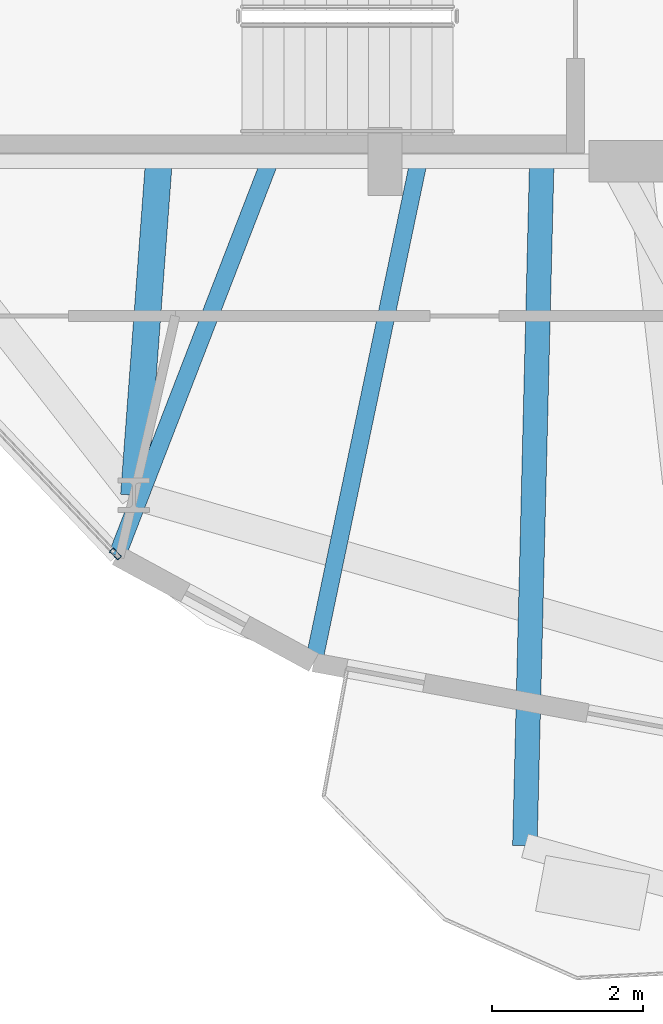
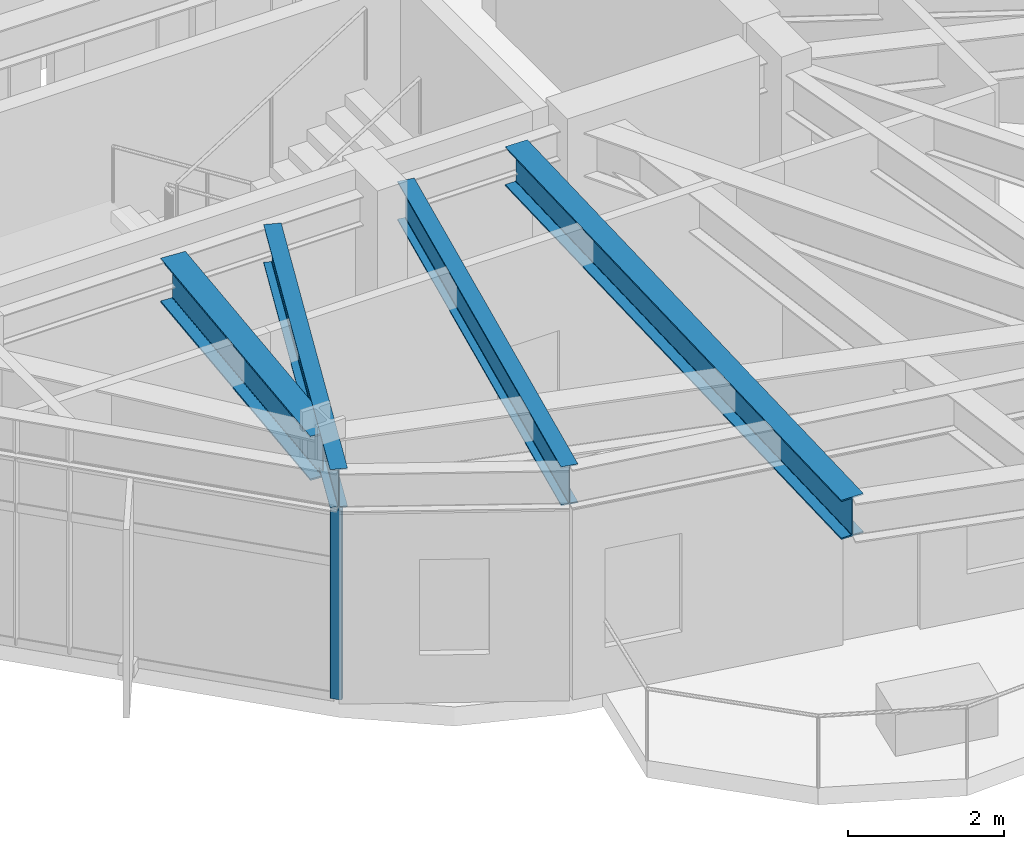
# One storey, part 2 of 25: 4 beams, 1 member, 1 element without a shape of its own.
"""IFC4 building model written with IfcOpenShell, lengths in metres."""

import ifcopenshell
import ifcopenshell.guid

model = None  # the IFC model being written
_history = None  # IfcOwnerHistory: only IFC2X3 demands one
_inside = {}  # id of a spatial element -> (the spatial element, [elements in it])
_under = {}  # id of a project, library or spatial element -> (it, [spatial elements below it])
_declared = {}  # id of a project -> (the project, [libraries it declares])
_typed = {}  # id of a type object -> (the type object, [elements of that type])
_made_of = {}  # id of a material, layer set ... -> (it, [elements and type objects made of it])


def new_model(schema):
    """Start an empty IFC model of exactly this schema.

    Asked for "IFC4X3", IfcOpenShell would pick the latest addendum, in which some entities
    have other attributes; the version numbers below select the first issue.
    IFC2X3 requires an IfcOwnerHistory on every rooted entity: one is made here for all.
    """
    global model, _history
    if schema == "IFC4X3":
        model = ifcopenshell.file(schema_version=(4, 3, 0, 0))
    else:
        model = ifcopenshell.file(schema=schema)
    _inside.clear()
    _under.clear()
    _declared.clear()
    _typed.clear()
    _made_of.clear()
    _history = None
    if model.schema == "IFC2X3":
        org = make("IfcOrganization", Name="unknown")
        user = make(
            "IfcPersonAndOrganization",
            ThePerson=make("IfcPerson", FamilyName="unknown"),
            TheOrganization=org,
        )
        app = make(
            "IfcApplication",
            ApplicationDeveloper=org,
            Version="unknown",
            ApplicationFullName="unknown",
            ApplicationIdentifier="unknown",
        )
        _history = make(
            "IfcOwnerHistory",
            OwningUser=user,
            OwningApplication=app,
            ChangeAction="ADDED",
            CreationDate=0,
        )
    return model


def make(cls, **values):
    """One entity of the class cls with the attributes given. An attribute that is None is left unset."""
    return model.create_entity(
        cls, **{name: value for name, value in values.items() if value is not None}
    )


def rooted(cls, **values):
    """An entity with a GlobalId (a new one), such as an element, a storey or a relation."""
    return make(cls, GlobalId=ifcopenshell.guid.new(), OwnerHistory=_history, **values)


def si_unit(unit_type, name, prefix=None):
    """IfcSIUnit, for example si_unit("LENGTHUNIT", "METRE", prefix="MILLI")."""
    return make("IfcSIUnit", UnitType=unit_type, Prefix=prefix, Name=name)


def assignment(units):
    """IfcUnitAssignment: the units of a project."""
    return None if units is None else make("IfcUnitAssignment", Units=units)


def point(xyz):
    """IfcCartesianPoint."""
    return None if xyz is None else make("IfcCartesianPoint", Coordinates=xyz)


def direction(xyz):
    """IfcDirection."""
    return None if xyz is None else make("IfcDirection", DirectionRatios=xyz)


def frame(location, z_axis=None, x_axis=None):
    """IfcAxis2Placement3D, a coordinate frame: its origin and axes. An axis left out is left unset."""
    return make(
        "IfcAxis2Placement3D",
        Location=point(location),
        Axis=direction(z_axis),
        RefDirection=direction(x_axis),
    )


def frame_2d(location, x_axis=None):
    """IfcAxis2Placement2D, a coordinate frame in the plane: its origin and x axis."""
    return make(
        "IfcAxis2Placement2D", Location=point(location), RefDirection=direction(x_axis)
    )


def origin():
    """The frame at (0, 0, 0) with its axes left unset."""
    return frame((0.0, 0.0, 0.0))


def origin_2d():
    """The frame at (0, 0) in the plane with its x axis left unset."""
    return frame_2d((0.0, 0.0))


def place(relative_to, where):
    """IfcLocalPlacement: puts the frame where relative to a parent placement (None: the world)."""
    return make(
        "IfcLocalPlacement", PlacementRelTo=relative_to, RelativePlacement=where
    )


def context(
    kind, dimensions, precision=None, world=None, true_north=None, identifier=None
):
    """IfcGeometricRepresentationContext, for example the 3D "Model" context."""
    return make(
        "IfcGeometricRepresentationContext",
        ContextIdentifier=identifier,
        ContextType=kind,
        CoordinateSpaceDimension=dimensions,
        Precision=precision,
        WorldCoordinateSystem=world,
        TrueNorth=true_north,
    )


def subcontext(parent, identifier, kind, view, scale=None):
    """IfcGeometricRepresentationSubContext, for example "Body" below "Model"."""
    return make(
        "IfcGeometricRepresentationSubContext",
        ContextIdentifier=identifier,
        ContextType=kind,
        ParentContext=parent,
        TargetScale=scale,
        TargetView=view,
    )


def project(units=None, contexts=None):
    """IfcProject with its units and contexts."""
    return rooted(
        "IfcProject",
        Name="project",
        RepresentationContexts=contexts,
        UnitsInContext=assignment(units),
    )


def spatial(cls, under=None, at=None, **own):
    """A site, building, storey or space (cls), placed at a placement, below another one or the project."""
    s = rooted(cls, ObjectPlacement=at, **own)
    if under is not None:
        _under.setdefault(under.id(), (under, []))[1].append(s)
    return s


def profile(cls, at=None, kind="AREA", **sizes):
    """A parametric profile (cls). Its sizes go by their IFC names, for example OverallWidth=200.0."""
    return make(cls, ProfileType=kind, Position=at, **sizes)


def hollow_rectangle(**sizes):
    """IfcRectangleHollowProfileDef."""
    return profile("IfcRectangleHollowProfileDef", **sizes)


def i_section(**sizes):
    """IfcIShapeProfileDef."""
    return profile("IfcIShapeProfileDef", **sizes)


def extrude(swept, where, along, depth):
    """IfcExtrudedAreaSolid: the profile swept, set in the frame where, extruded along a direction by depth."""
    return make(
        "IfcExtrudedAreaSolid",
        SweptArea=swept,
        Position=where,
        ExtrudedDirection=direction(along),
        Depth=depth,
    )


def shape(context_of_items, identifier, shape_type, items):
    """IfcShapeRepresentation: the items that make up one representation, for example the "Body"."""
    return make(
        "IfcShapeRepresentation",
        ContextOfItems=context_of_items,
        RepresentationIdentifier=identifier,
        RepresentationType=shape_type,
        Items=items,
    )


def material(Name=None, Category=None):
    """IfcMaterial."""
    return make("IfcMaterial", Name=Name, Category=Category)


def layer(
    of_material, thickness, ventilated=None, Name=None, Category=None, Priority=None
):
    """IfcMaterialLayer: one layer of a wall or slab, of a material (None: an air gap)."""
    return make(
        "IfcMaterialLayer",
        Material=of_material,
        LayerThickness=thickness,
        IsVentilated=ventilated,
        Name=Name,
        Category=Category,
        Priority=Priority,
    )


def layer_set(layers, Name=None):
    """IfcMaterialLayerSet."""
    return make("IfcMaterialLayerSet", MaterialLayers=layers, LayerSetName=Name)


def material_profile(
    of_material, cross_section, Name=None, Category=None, Priority=None
):
    """IfcMaterialProfile: a cross section and its material."""
    return make(
        "IfcMaterialProfile",
        Name=Name,
        Material=of_material,
        Profile=cross_section,
        Priority=Priority,
        Category=Category,
    )


def profile_set(profiles, Name=None, composite=None):
    """IfcMaterialProfileSet."""
    return make(
        "IfcMaterialProfileSet",
        Name=Name,
        MaterialProfiles=profiles,
        CompositeProfile=composite,
    )


def made_of(thing, what):
    """Note that an element or type object is made of a material, layer set ...; save() writes the relation."""
    if what is not None:
        _made_of.setdefault(what.id(), (what, []))[1].append(thing)
    return thing


def type_object(cls, material=None, **own):
    """A type object (cls), such as IfcWallType, which elements share."""
    return made_of(rooted(cls, **own), material)


def element(
    cls,
    number,
    at=None,
    inside=None,
    cuts=None,
    type_object=None,
    material=None,
    context=None,
    identifier="Body",
    shape_type=None,
    held_by="IfcProductDefinitionShape",
    body=None,
    shapes=None,
    **own,
):
    """One element of the class cls, such as IfcWall. Its Tag is "e" and its number.

    at: its placement. inside: the storey or other place that contains it. cuts: it is an
    opening in that element (IfcRelVoidsElement). A single representation is given by context,
    identifier, shape_type and body (its items); several are given by shapes. held_by: the class
    of the entity that holds the representations. save() writes the other relations.
    """
    e = rooted(cls, Tag="e%d" % number, ObjectPlacement=at, **own)
    if body is not None:
        shapes = [shape(context, identifier, shape_type, body)]
    if shapes is not None:
        e.Representation = make(held_by, Representations=shapes)
    if inside is not None:
        _inside.setdefault(inside.id(), (inside, []))[1].append(e)
    if cuts is not None:
        rooted(
            "IfcRelVoidsElement", RelatingBuildingElement=cuts, RelatedOpeningElement=e
        )
    if type_object is not None:
        _typed.setdefault(type_object.id(), (type_object, []))[1].append(e)
    return made_of(e, material)


def aggregate(whole, parts):
    """IfcRelAggregates: a whole, such as a stair, and the parts it consists of."""
    return rooted("IfcRelAggregates", RelatingObject=whole, RelatedObjects=parts)


def save(model, path):
    """Write the relations noted so far, then the file.

    IfcRelAggregates (storeys below a building ...), IfcRelContainedInSpatialStructure (elements
    in a storey), IfcRelDefinesByType, IfcRelAssociatesMaterial and IfcRelDeclares: one each for
    every whole, place, type object, material and project.
    """
    for whole, parts in _under.values():
        aggregate(whole, parts)
    for where, things in _inside.values():
        rooted(
            "IfcRelContainedInSpatialStructure",
            RelatedElements=things,
            RelatingStructure=where,
        )
    for kind, things in _typed.values():
        rooted("IfcRelDefinesByType", RelatedObjects=things, RelatingType=kind)
    for what, things in _made_of.values():
        rooted("IfcRelAssociatesMaterial", RelatedObjects=things, RelatingMaterial=what)
    for by, libraries in _declared.values():
        rooted("IfcRelDeclares", RelatingContext=by, RelatedDefinitions=libraries)
    model.write(path)


model = new_model("IFC4")

# Units and contexts
model_context = context("Model", 3, precision=1e-05, world=origin(), true_north=direction((0.0, 1.0)))
body_context = subcontext(model_context, "Body", "Model", "MODEL_VIEW")
ifc_project = project(units=[si_unit("LENGTHUNIT", "METRE"), si_unit("AREAUNIT", "SQUARE_METRE"), si_unit("VOLUMEUNIT", "CUBIC_METRE"), si_unit("PLANEANGLEUNIT", "RADIAN"), si_unit("MASSUNIT", "GRAM", prefix="KILO")], contexts=[model_context])

# Site, building, storey
site_placement = place(None, origin())
site = spatial("IfcSite", under=ifc_project, at=site_placement, CompositionType="ELEMENT")
building_placement = place(site_placement, origin())
building = spatial("IfcBuilding", under=site, at=building_placement, Name="Soratama Intermodal Tower", CompositionType="ELEMENT")
storey_placement = place(building_placement, frame((0.0, 0.0, 126.39990234375)))
storey = spatial("IfcBuildingStorey", under=building, at=storey_placement, Name="L30", CompositionType="ELEMENT", Elevation=126.39990234375)

# Beams
ifc_material_1 = material(Name="Structural steel ASTM A992 Grade 50", Category="steel")
ifc_material_profile_1 = material_profile(ifc_material_1, i_section(OverallWidth=0.324951171875, OverallDepth=0.615966796875, WebThickness=0.013916015625, FlangeThickness=0.021484375, FilletRadius=0.013916015625, at=origin_2d()), Name="W24X117")
ifc_profile_set_1 = profile_set([ifc_material_profile_1], Name="Structural steel ASTM A992 Grade 50")
beam_type_1 = type_object("IfcBeamType", Name="BM-CANT-W24X117", PredefinedType="BEAM", material=ifc_profile_set_1)
beam_1_placement = place(storey_placement, frame((40.674072265625, 14.9599609375, 3.2919921875), z_axis=(-0.024701173794, -0.999694879457, 0.0), x_axis=(0.999694879457, -0.024701173794, 0.0)))
element("IfcBeam", 1, at=beam_1_placement, inside=storey, type_object=beam_type_1, Name="BM-L30-CANT-3-1", PredefinedType="BEAM", context=body_context, shape_type="SweptSolid", body=[
    extrude(i_section(OverallWidth=0.324951171875, OverallDepth=0.615966796875, WebThickness=0.013916015625, FlangeThickness=0.021484375, FilletRadius=0.013916015625, at=origin_2d()), origin(), (0.0, 0.0, 1.0), 9.03369140625),
])
ifc_material_2 = material(Name="Structural steel ASTM A992 Grade 50", Category="steel")
ifc_material_profile_2 = material_profile(ifc_material_2, i_section(OverallWidth=0.35498046875, OverallDepth=0.695068359375, WebThickness=0.015380859375, FlangeThickness=0.02490234375, FilletRadius=0.01611328125, at=origin_2d()), Name="W27X146")
ifc_profile_set_2 = profile_set([ifc_material_profile_2], Name="Structural steel ASTM A992 Grade 50")
beam_type_2 = type_object("IfcBeamType", Name="BM-RING-W27X146", PredefinedType="BEAM", material=ifc_profile_set_2)
beam_2_placement = place(storey_placement, frame((35.60009765625, 15.0, 3.252685546875), z_axis=(-0.074386442563, -0.997229490721, 0.0), x_axis=(0.997229490721, -0.074386442563, 0.0)))
element("IfcBeam", 2, at=beam_2_placement, inside=storey, type_object=beam_type_2, Name="BM-L30-RAD-07", PredefinedType="BEAM", context=body_context, shape_type="SweptSolid", body=[
    extrude(i_section(OverallWidth=0.35498046875, OverallDepth=0.695068359375, WebThickness=0.015380859375, FlangeThickness=0.02490234375, FilletRadius=0.01611328125, at=origin_2d()), origin(), (0.0, 0.0, 1.0), 4.437255859375),
])
ifc_material_3 = material(Name="Structural steel ASTM A992 Grade 50", Category="steel")
ifc_material_profile_3 = material_profile(ifc_material_3, i_section(OverallWidth=0.22900390625, OverallDepth=0.612060546875, WebThickness=0.011962890625, FlangeThickness=0.01953125, FilletRadius=0.012939453125, at=origin_2d()), Name="W24X84")
ifc_profile_set_3 = profile_set([ifc_material_profile_3], Name="Structural steel ASTM A992 Grade 50")
beam_type_3 = type_object("IfcBeamType", Name="BM-TIE-W24X84", PredefinedType="BEAM", material=ifc_profile_set_3)
beam_3_placement = place(storey_placement, frame((37.054931640625, 14.962890625, 3.294189453125), z_axis=(-0.361115979983, -0.932520910758, 0.0), x_axis=(0.932520910758, -0.361115979983, 0.0)))
element("IfcBeam", 3, at=beam_3_placement, inside=storey, type_object=beam_type_3, Name="BM-L30-TIE1-06", PredefinedType="BEAM", context=body_context, shape_type="SweptSolid", body=[
    extrude(i_section(OverallWidth=0.22900390625, OverallDepth=0.612060546875, WebThickness=0.011962890625, FlangeThickness=0.01953125, FilletRadius=0.012939453125, at=origin_2d()), origin(), (0.0, 0.0, 1.0), 5.5634765625),
])
beam_4_placement = place(storey_placement, frame((39.034912109375, 14.9609375, 3.294189453125), z_axis=(-0.204864766965, -0.97879028768, 0.0), x_axis=(0.97879028768, -0.204864766965, 0.0)))
element("IfcBeam", 4, at=beam_4_placement, inside=storey, type_object=beam_type_3, Name="BM-L30-TIE0-07", PredefinedType="BEAM", context=body_context, shape_type="SweptSolid", body=[
    extrude(i_section(OverallWidth=0.22900390625, OverallDepth=0.612060546875, WebThickness=0.011962890625, FlangeThickness=0.01953125, FilletRadius=0.012939453125, at=origin_2d()), origin(), (0.0, 0.0, 1.0), 6.7451171875),
])

# Curtain wall, member
ifc_material_4 = material(Name="Double-glazed aluminium curtain wall", Category="aluminium")
ifc_layer = layer(ifc_material_4, 0.159912109375)
ifc_layer_set = layer_set([ifc_layer], Name="Double-glazed aluminium curtain wall")
curtain_wall_type = type_object("IfcCurtainWallType", Name="CW-SYS-3", PredefinedType="NOTDEFINED", material=ifc_layer_set)
curtain_wall_placement = place(storey_placement, origin())
curtain_wall = element("IfcCurtainWall", 5, at=curtain_wall_placement, inside=storey, type_object=curtain_wall_type, Name="L30 Faceted Curtain Wall F06", PredefinedType="NOTDEFINED")
ifc_material_5 = material(Name="Anodised aluminium AA 6063-T6", Category="aluminium")
ifc_material_profile_4 = material_profile(ifc_material_5, hollow_rectangle(XDim=0.070068359375, YDim=0.159912109375, WallThickness=0.0048828125, InnerFilletRadius=0.0048828125, OuterFilletRadius=0.010009765625, at=origin_2d()), Name="CWM160X70X5")
ifc_profile_set_4 = profile_set([ifc_material_profile_4], Name="Anodised aluminium AA 6063-T6")
member_type = type_object("IfcMemberType", Name="MT-CWM-3", PredefinedType="MULLION", material=ifc_profile_set_4)
member_placement = place(storey_placement, frame((35.02490234375, 9.796630859375, 0.0), z_axis=(0.0, 0.0, 1.0), x_axis=(0.725376951302, 0.688351856626, 0.0)))
member = element("IfcMember", 6, at=member_placement, type_object=member_type, Name="CW-3 mullion 2", PredefinedType="MULLION", context=body_context, shape_type="SweptSolid", body=[
    extrude(hollow_rectangle(XDim=0.070068359375, YDim=0.159912109375, WallThickness=0.0048828125, InnerFilletRadius=0.0048828125, OuterFilletRadius=0.010009765625, at=origin_2d()), origin(), (0.0, 0.0, 1.0), 2.97900390625),
])
aggregate(curtain_wall, [member])

save(model, "model.ifc")
